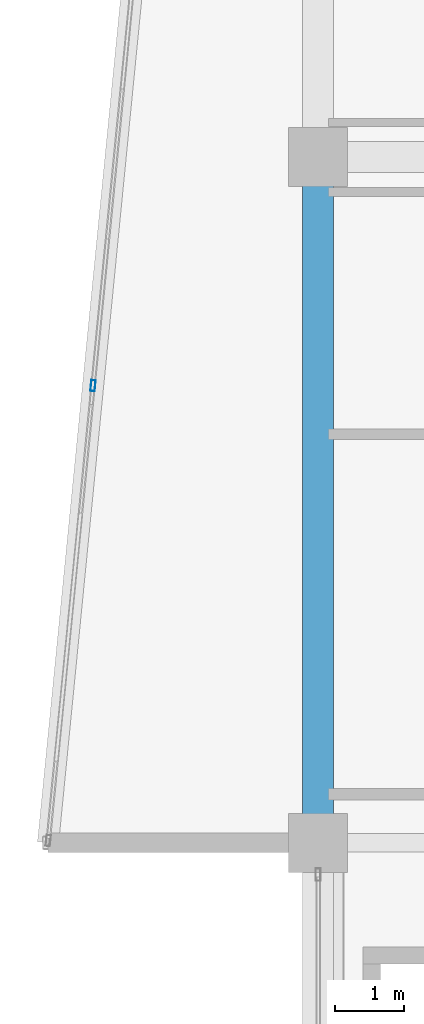
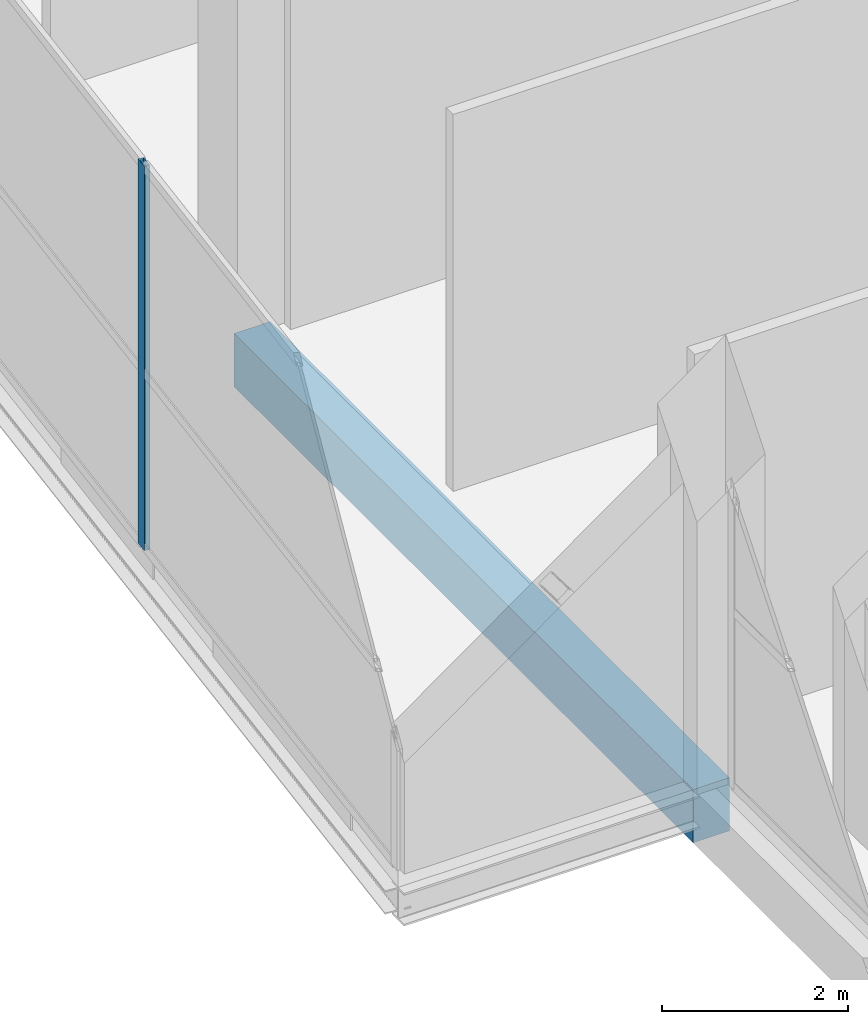
# One storey, part 9 of 58: 1 beam, 1 member, 1 element without a shape of its own.
"""IFC4 building model written with IfcOpenShell, lengths in metres."""

from ifc_helpers import new_model, si_unit, direction, frame, origin, origin_2d, place, context, subcontext, project, spatial, rectangle, hollow_rectangle, extrude, material, layer, layer_set, material_profile, profile_set, type_object, element, aggregate, save


model = new_model("IFC4")

# Units and contexts
model_context = context("Model", 3, precision=1e-05, world=origin(), true_north=direction((0.0, 1.0)))
body_context = subcontext(model_context, "Body", "Model", "MODEL_VIEW")
ifc_project = project(units=[si_unit("LENGTHUNIT", "METRE"), si_unit("AREAUNIT", "SQUARE_METRE"), si_unit("VOLUMEUNIT", "CUBIC_METRE"), si_unit("PLANEANGLEUNIT", "RADIAN"), si_unit("MASSUNIT", "GRAM", prefix="KILO")], contexts=[model_context])

# Site, building, storey
site_placement = place(None, origin())
site = spatial("IfcSite", under=ifc_project, at=site_placement, CompositionType="ELEMENT")
building_placement = place(site_placement, origin())
building = spatial("IfcBuilding", under=site, at=building_placement, Name="Sillaruma Civic Art Gallery", CompositionType="ELEMENT")
storey_placement = place(building_placement, frame((0.0, 0.0, 22.43994140625)))
storey = spatial("IfcBuildingStorey", under=building, at=storey_placement, Name="L04", CompositionType="ELEMENT", Elevation=22.43994140625)

# Beam
ifc_material_1 = material(Name="Concrete H35 (35 MPa)", Category="concrete")
ifc_material_profile_1 = material_profile(ifc_material_1, rectangle(XDim=0.449951171875, YDim=0.699951171875, at=origin_2d()), Name="RCB450x700")
ifc_profile_set_1 = profile_set([ifc_material_profile_1], Name="Concrete H35 (35 MPa)")
beam_type = type_object("IfcBeamType", Name="BM-SPANDREL-RCB450x700", PredefinedType="SPANDREL", material=ifc_profile_set_1)
beam_placement = place(storey_placement, frame((62.0, 49.5, -0.60986328125), z_axis=(0.0, 1.0, 0.0), x_axis=(-1.0, 0.0, 0.0)))
element("IfcBeam", 1, at=beam_placement, inside=storey, type_object=beam_type, Name="Beam BS-03 (L03:F:6-7)", PredefinedType="SPANDREL", context=body_context, shape_type="SweptSolid", body=[
    extrude(rectangle(XDim=0.449951171875, YDim=0.699951171875, at=origin_2d()), origin(), (0.0, 0.0, 1.0), 9.89990234375),
])

# Curtain wall, member
ifc_material_2 = material(Name="Thermally Broken Extruded Aluminium 6063-T6", Category="aluminium")
ifc_layer = layer(ifc_material_2, 0.159912109375, Name="Thermally Broken Extruded Aluminium 6063-T6")
ifc_layer_set = layer_set([ifc_layer], Name="Thermally Broken Extruded Aluminium 6063-T6")
curtain_wall_type = type_object("IfcCurtainWallType", Name="CW-UNI-25", PredefinedType="NOTDEFINED", material=ifc_layer_set)
curtain_wall_placement = place(storey_placement, origin())
curtain_wall = element("IfcCurtainWall", 2, at=curtain_wall_placement, inside=storey, type_object=curtain_wall_type, Name="Unitised Curtain Wall CW-25 (CW-PRW-L04-W-ANG)", PredefinedType="NOTDEFINED")
ifc_material_profile_2 = material_profile(ifc_material_2, hollow_rectangle(XDim=0.06494140625, YDim=0.159912109375, WallThickness=0.00390625, at=origin_2d()), Name="CWM65x160")
ifc_profile_set_2 = profile_set([ifc_material_profile_2], Name="Thermally Broken Extruded Aluminium 6063-T6")
member_type = type_object("IfcMemberType", Name="MEM-MUL-CWM65x160", PredefinedType="MULLION", material=ifc_profile_set_2)
member_placement = place(storey_placement, frame((58.75, 56.10009765625, 0.0), z_axis=(0.0, 0.0, 1.0), x_axis=(0.99518536297, -0.098010679679, 0.0)))
member = element("IfcMember", 3, at=member_placement, type_object=member_type, Name="CW-25 mullion 3", PredefinedType="MULLION", context=body_context, shape_type="SweptSolid", body=[
    extrude(hollow_rectangle(XDim=0.06494140625, YDim=0.159912109375, WallThickness=0.00390625, at=origin_2d()), origin(), (0.0, 0.0, 1.0), 5.06005859375),
])
aggregate(curtain_wall, [member])

save(model, "model.ifc")
